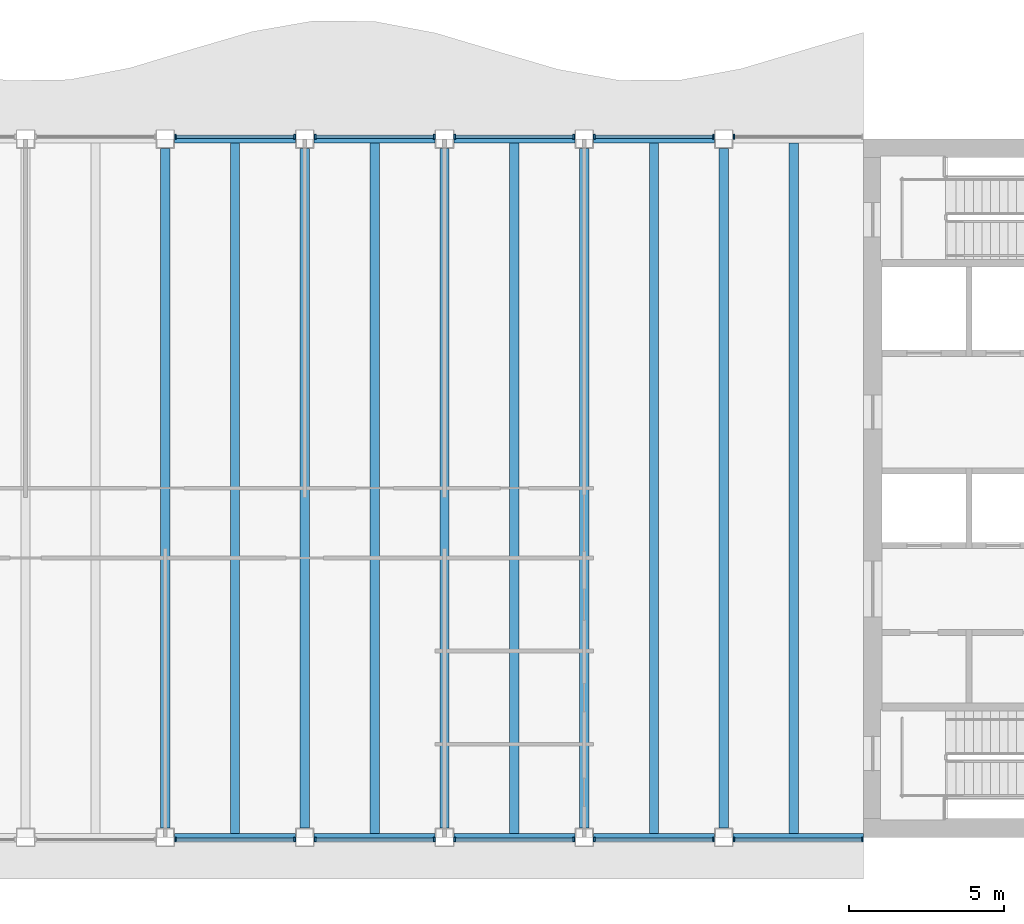
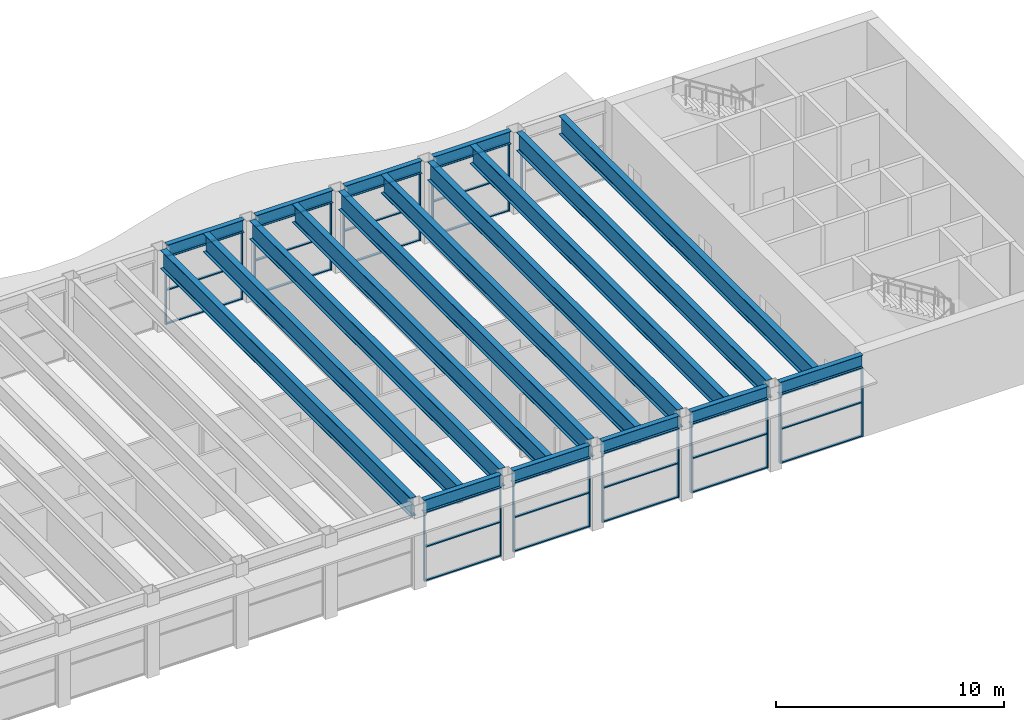
# One storey, part 5 of 14: 46 members, 19 beams, 10 elements without a shape of their own.
"""IFC4 building model written with IfcOpenShell, lengths in metres."""

from ifc_helpers import new_model, si_unit, direction, frame, origin, origin_2d, place, context, subcontext, project, spatial, rectangle, i_section, extrude, material, material_profile, profile_set, type_object, element, aggregate, save


model = new_model("IFC4")

# Units and contexts
model_context = context("Model", 3, precision=1e-05, world=origin(), true_north=direction((0.0, 1.0)))
body_context = subcontext(model_context, "Body", "Model", "MODEL_VIEW")
ifc_project = project(units=[si_unit("LENGTHUNIT", "METRE"), si_unit("AREAUNIT", "SQUARE_METRE"), si_unit("VOLUMEUNIT", "CUBIC_METRE"), si_unit("PLANEANGLEUNIT", "RADIAN"), si_unit("MASSUNIT", "GRAM", prefix="KILO")], contexts=[model_context])

# Site, building, storey
site_placement = place(None, origin())
site = spatial("IfcSite", under=ifc_project, at=site_placement, CompositionType="ELEMENT")
building_placement = place(site_placement, origin())
building = spatial("IfcBuilding", under=site, at=building_placement, Name="Sennacour Bend Tower", CompositionType="ELEMENT")
storey_placement = place(building_placement, frame((0.0, 0.0, 314.0)))
storey = spatial("IfcBuildingStorey", under=building, at=storey_placement, Name="L72", CompositionType="ELEMENT", Elevation=314.0)

# Curtain wall, members
ifc_material_1 = material(Name="Bronze anodised aluminium curtain wall with clear glass", Category="aluminium")
curtain_wall_type = type_object("IfcCurtainWallType", Name="CURTAIN WALL EXEC", PredefinedType="NOTDEFINED", material=ifc_material_1)
curtain_wall_1_placement = place(storey_placement, origin())
curtain_wall_1 = element("IfcCurtainWall", 1, at=curtain_wall_1_placement, inside=storey, type_object=curtain_wall_type, Name="Executive floor glass wall L72", PredefinedType="NOTDEFINED")
ifc_material_2 = material(Name="Aluminium 6063-T6", Category="aluminium")
ifc_material_profile_1 = material_profile(ifc_material_2, rectangle(XDim=0.14990234375, YDim=0.06005859375, at=origin_2d()), Name="Aluminium 6063-T6", Category="aluminium")
ifc_profile_set_1 = profile_set([ifc_material_profile_1], Name="Aluminium 6063-T6")
member_type_1 = type_object("IfcMemberType", Name="CW-MULLION-150X60", PredefinedType="MULLION", material=ifc_profile_set_1)
member_1_placement = place(storey_placement, frame((31.830078125, -0.074951171875, 0.0), z_axis=(0.0, 0.0, 1.0), x_axis=(0.0, 1.0, 0.0)))
member_1 = element("IfcMember", 2, at=member_1_placement, type_object=member_type_1, Name="GW3 curtain wall mullion 1", PredefinedType="MULLION", context=body_context, shape_type="SweptSolid", body=[
    extrude(rectangle(XDim=0.14990234375, YDim=0.06005859375, at=origin_2d()), origin(), (0.0, 0.0, 1.0), 3.672119140625),
])
member_2_placement = place(storey_placement, frame((35.669921875, -0.074951171875, 0.0), z_axis=(0.0, 0.0, 1.0), x_axis=(0.0, 1.0, 0.0)))
member_2 = element("IfcMember", 3, at=member_2_placement, type_object=member_type_1, Name="GW3 curtain wall mullion 2", PredefinedType="MULLION", context=body_context, shape_type="SweptSolid", body=[
    extrude(rectangle(XDim=0.14990234375, YDim=0.06005859375, at=origin_2d()), origin(), (0.0, 0.0, 1.0), 3.672119140625),
])

curtain_wall_2_placement = place(storey_placement, origin())
curtain_wall_2 = element("IfcCurtainWall", 4, at=curtain_wall_2_placement, inside=storey, type_object=curtain_wall_type, Name="Executive floor glass wall L72", PredefinedType="NOTDEFINED")
member_3_placement = place(storey_placement, frame((36.330078125, -0.074951171875, 0.0), z_axis=(0.0, 0.0, 1.0), x_axis=(0.0, 1.0, 0.0)))
member_3 = element("IfcMember", 5, at=member_3_placement, type_object=member_type_1, Name="GW3 curtain wall mullion 1", PredefinedType="MULLION", context=body_context, shape_type="SweptSolid", body=[
    extrude(rectangle(XDim=0.14990234375, YDim=0.06005859375, at=origin_2d()), origin(), (0.0, 0.0, 1.0), 3.672119140625),
])
member_4_placement = place(storey_placement, frame((40.169921875, -0.074951171875, 0.0), z_axis=(0.0, 0.0, 1.0), x_axis=(0.0, 1.0, 0.0)))
member_4 = element("IfcMember", 6, at=member_4_placement, type_object=member_type_1, Name="GW3 curtain wall mullion 2", PredefinedType="MULLION", context=body_context, shape_type="SweptSolid", body=[
    extrude(rectangle(XDim=0.14990234375, YDim=0.06005859375, at=origin_2d()), origin(), (0.0, 0.0, 1.0), 3.672119140625),
])

curtain_wall_3_placement = place(storey_placement, origin())
curtain_wall_3 = element("IfcCurtainWall", 7, at=curtain_wall_3_placement, inside=storey, type_object=curtain_wall_type, Name="Executive floor glass wall L72", PredefinedType="NOTDEFINED")
member_5_placement = place(storey_placement, frame((40.830078125, -0.074951171875, 0.0), z_axis=(0.0, 0.0, 1.0), x_axis=(0.0, 1.0, 0.0)))
member_5 = element("IfcMember", 8, at=member_5_placement, type_object=member_type_1, Name="GW3 curtain wall mullion 1", PredefinedType="MULLION", context=body_context, shape_type="SweptSolid", body=[
    extrude(rectangle(XDim=0.14990234375, YDim=0.06005859375, at=origin_2d()), origin(), (0.0, 0.0, 1.0), 3.672119140625),
])
member_6_placement = place(storey_placement, frame((44.669921875, -0.074951171875, 0.0), z_axis=(0.0, 0.0, 1.0), x_axis=(0.0, 1.0, 0.0)))
member_6 = element("IfcMember", 9, at=member_6_placement, type_object=member_type_1, Name="GW3 curtain wall mullion 2", PredefinedType="MULLION", context=body_context, shape_type="SweptSolid", body=[
    extrude(rectangle(XDim=0.14990234375, YDim=0.06005859375, at=origin_2d()), origin(), (0.0, 0.0, 1.0), 3.672119140625),
])

curtain_wall_4_placement = place(storey_placement, origin())
curtain_wall_4 = element("IfcCurtainWall", 10, at=curtain_wall_4_placement, inside=storey, type_object=curtain_wall_type, Name="Executive floor glass wall L72", PredefinedType="NOTDEFINED")
member_7_placement = place(storey_placement, frame((45.330078125, -0.074951171875, 0.0), z_axis=(0.0, 0.0, 1.0), x_axis=(0.0, 1.0, 0.0)))
member_7 = element("IfcMember", 11, at=member_7_placement, type_object=member_type_1, Name="GW3 curtain wall mullion 1", PredefinedType="MULLION", context=body_context, shape_type="SweptSolid", body=[
    extrude(rectangle(XDim=0.14990234375, YDim=0.06005859375, at=origin_2d()), origin(), (0.0, 0.0, 1.0), 3.672119140625),
])
member_8_placement = place(storey_placement, frame((49.169921875, -0.074951171875, 0.0), z_axis=(0.0, 0.0, 1.0), x_axis=(0.0, 1.0, 0.0)))
member_8 = element("IfcMember", 12, at=member_8_placement, type_object=member_type_1, Name="GW3 curtain wall mullion 2", PredefinedType="MULLION", context=body_context, shape_type="SweptSolid", body=[
    extrude(rectangle(XDim=0.14990234375, YDim=0.06005859375, at=origin_2d()), origin(), (0.0, 0.0, 1.0), 3.672119140625),
])

curtain_wall_5_placement = place(storey_placement, origin())
curtain_wall_5 = element("IfcCurtainWall", 13, at=curtain_wall_5_placement, inside=storey, type_object=curtain_wall_type, Name="Executive floor glass wall L72", PredefinedType="NOTDEFINED")
member_9_placement = place(storey_placement, frame((49.830078125, -0.074951171875, 0.0), z_axis=(0.0, 0.0, 1.0), x_axis=(0.0, 1.0, 0.0)))
member_9 = element("IfcMember", 14, at=member_9_placement, type_object=member_type_1, Name="GW3 curtain wall mullion 1", PredefinedType="MULLION", context=body_context, shape_type="SweptSolid", body=[
    extrude(rectangle(XDim=0.14990234375, YDim=0.06005859375, at=origin_2d()), origin(), (0.0, 0.0, 1.0), 3.672119140625),
])
member_10_placement = place(storey_placement, frame((53.969970703125, -0.074951171875, 0.0), z_axis=(0.0, 0.0, 1.0), x_axis=(0.0, 1.0, 0.0)))
member_10 = element("IfcMember", 15, at=member_10_placement, type_object=member_type_1, Name="GW3 curtain wall mullion 2", PredefinedType="MULLION", context=body_context, shape_type="SweptSolid", body=[
    extrude(rectangle(XDim=0.14990234375, YDim=0.06005859375, at=origin_2d()), origin(), (0.0, 0.0, 1.0), 3.672119140625),
])

# Curtain wall, member
curtain_wall_6_placement = place(storey_placement, origin())
curtain_wall_6 = element("IfcCurtainWall", 16, at=curtain_wall_6_placement, inside=storey, type_object=curtain_wall_type, Name="Executive floor glass wall L72", PredefinedType="NOTDEFINED")
member_11_placement = place(storey_placement, frame((49.830078125, 22.574951171875, 0.0), z_axis=(0.0, 0.0, 1.0), x_axis=(0.0, -1.0, 0.0)))
member_11 = element("IfcMember", 17, at=member_11_placement, type_object=member_type_1, Name="GW3 curtain wall mullion 2", PredefinedType="MULLION", context=body_context, shape_type="SweptSolid", body=[
    extrude(rectangle(XDim=0.14990234375, YDim=0.06005859375, at=origin_2d()), origin(), (0.0, 0.0, 1.0), 3.672119140625),
])
aggregate(curtain_wall_6, [member_11])

# Curtain wall, members
curtain_wall_7_placement = place(storey_placement, origin())
curtain_wall_7 = element("IfcCurtainWall", 18, at=curtain_wall_7_placement, inside=storey, type_object=curtain_wall_type, Name="Executive floor glass wall L72", PredefinedType="NOTDEFINED")
member_12_placement = place(storey_placement, frame((49.169921875, 22.574951171875, 0.0), z_axis=(0.0, 0.0, 1.0), x_axis=(0.0, -1.0, 0.0)))
member_12 = element("IfcMember", 19, at=member_12_placement, type_object=member_type_1, Name="GW3 curtain wall mullion 1", PredefinedType="MULLION", context=body_context, shape_type="SweptSolid", body=[
    extrude(rectangle(XDim=0.14990234375, YDim=0.06005859375, at=origin_2d()), origin(), (0.0, 0.0, 1.0), 3.672119140625),
])
member_13_placement = place(storey_placement, frame((45.330078125, 22.574951171875, 0.0), z_axis=(0.0, 0.0, 1.0), x_axis=(0.0, -1.0, 0.0)))
member_13 = element("IfcMember", 20, at=member_13_placement, type_object=member_type_1, Name="GW3 curtain wall mullion 2", PredefinedType="MULLION", context=body_context, shape_type="SweptSolid", body=[
    extrude(rectangle(XDim=0.14990234375, YDim=0.06005859375, at=origin_2d()), origin(), (0.0, 0.0, 1.0), 3.672119140625),
])

curtain_wall_8_placement = place(storey_placement, origin())
curtain_wall_8 = element("IfcCurtainWall", 21, at=curtain_wall_8_placement, inside=storey, type_object=curtain_wall_type, Name="Executive floor glass wall L72", PredefinedType="NOTDEFINED")
member_14_placement = place(storey_placement, frame((44.669921875, 22.574951171875, 0.0), z_axis=(0.0, 0.0, 1.0), x_axis=(0.0, -1.0, 0.0)))
member_14 = element("IfcMember", 22, at=member_14_placement, type_object=member_type_1, Name="GW3 curtain wall mullion 1", PredefinedType="MULLION", context=body_context, shape_type="SweptSolid", body=[
    extrude(rectangle(XDim=0.14990234375, YDim=0.06005859375, at=origin_2d()), origin(), (0.0, 0.0, 1.0), 3.672119140625),
])
member_15_placement = place(storey_placement, frame((40.830078125, 22.574951171875, 0.0), z_axis=(0.0, 0.0, 1.0), x_axis=(0.0, -1.0, 0.0)))
member_15 = element("IfcMember", 23, at=member_15_placement, type_object=member_type_1, Name="GW3 curtain wall mullion 2", PredefinedType="MULLION", context=body_context, shape_type="SweptSolid", body=[
    extrude(rectangle(XDim=0.14990234375, YDim=0.06005859375, at=origin_2d()), origin(), (0.0, 0.0, 1.0), 3.672119140625),
])

curtain_wall_9_placement = place(storey_placement, origin())
curtain_wall_9 = element("IfcCurtainWall", 24, at=curtain_wall_9_placement, inside=storey, type_object=curtain_wall_type, Name="Executive floor glass wall L72", PredefinedType="NOTDEFINED")
member_16_placement = place(storey_placement, frame((40.169921875, 22.574951171875, 0.0), z_axis=(0.0, 0.0, 1.0), x_axis=(0.0, -1.0, 0.0)))
member_16 = element("IfcMember", 25, at=member_16_placement, type_object=member_type_1, Name="GW3 curtain wall mullion 1", PredefinedType="MULLION", context=body_context, shape_type="SweptSolid", body=[
    extrude(rectangle(XDim=0.14990234375, YDim=0.06005859375, at=origin_2d()), origin(), (0.0, 0.0, 1.0), 3.672119140625),
])
member_17_placement = place(storey_placement, frame((36.330078125, 22.574951171875, 0.0), z_axis=(0.0, 0.0, 1.0), x_axis=(0.0, -1.0, 0.0)))
member_17 = element("IfcMember", 26, at=member_17_placement, type_object=member_type_1, Name="GW3 curtain wall mullion 2", PredefinedType="MULLION", context=body_context, shape_type="SweptSolid", body=[
    extrude(rectangle(XDim=0.14990234375, YDim=0.06005859375, at=origin_2d()), origin(), (0.0, 0.0, 1.0), 3.672119140625),
])

curtain_wall_10_placement = place(storey_placement, origin())
curtain_wall_10 = element("IfcCurtainWall", 27, at=curtain_wall_10_placement, inside=storey, type_object=curtain_wall_type, Name="Executive floor glass wall L72", PredefinedType="NOTDEFINED")
member_18_placement = place(storey_placement, frame((35.669921875, 22.574951171875, 0.0), z_axis=(0.0, 0.0, 1.0), x_axis=(0.0, -1.0, 0.0)))
member_18 = element("IfcMember", 28, at=member_18_placement, type_object=member_type_1, Name="GW3 curtain wall mullion 1", PredefinedType="MULLION", context=body_context, shape_type="SweptSolid", body=[
    extrude(rectangle(XDim=0.14990234375, YDim=0.06005859375, at=origin_2d()), origin(), (0.0, 0.0, 1.0), 3.672119140625),
])
member_19_placement = place(storey_placement, frame((31.830078125, 22.574951171875, 0.0), z_axis=(0.0, 0.0, 1.0), x_axis=(0.0, -1.0, 0.0)))
member_19 = element("IfcMember", 29, at=member_19_placement, type_object=member_type_1, Name="GW3 curtain wall mullion 2", PredefinedType="MULLION", context=body_context, shape_type="SweptSolid", body=[
    extrude(rectangle(XDim=0.14990234375, YDim=0.06005859375, at=origin_2d()), origin(), (0.0, 0.0, 1.0), 3.672119140625),
])

# Member
ifc_material_profile_2 = material_profile(ifc_material_2, rectangle(XDim=0.1201171875, YDim=0.06005859375, at=origin_2d()), Name="Aluminium 6063-T6", Category="aluminium")
ifc_profile_set_2 = profile_set([ifc_material_profile_2], Name="Aluminium 6063-T6")
member_type_2 = type_object("IfcMemberType", Name="CW-TRANSOM-120X60", PredefinedType="USERDEFINED", material=ifc_profile_set_2)
member_20_placement = place(storey_placement, frame((31.860107421875, -0.074951171875, 0.030029296875), z_axis=(1.0, 0.0, 0.0), x_axis=(0.0, 1.0, 0.0)))
member_20 = element("IfcMember", 30, at=member_20_placement, type_object=member_type_2, Name="GW3 curtain wall transom 1.1", ObjectType="TRANSOM", PredefinedType="USERDEFINED", context=body_context, shape_type="SweptSolid", body=[
    extrude(rectangle(XDim=0.1201171875, YDim=0.06005859375, at=origin_2d()), origin(), (0.0, 0.0, 1.0), 3.77978515625),
])

member_21_placement = place(storey_placement, frame((31.860107421875, -0.074951171875, 1.8359375), z_axis=(1.0, 0.0, 0.0), x_axis=(0.0, 1.0, 0.0)))
member_21 = element("IfcMember", 31, at=member_21_placement, type_object=member_type_2, Name="GW3 curtain wall transom 1.2", ObjectType="TRANSOM", PredefinedType="USERDEFINED", context=body_context, shape_type="SweptSolid", body=[
    extrude(rectangle(XDim=0.1201171875, YDim=0.06005859375, at=origin_2d()), origin(), (0.0, 0.0, 1.0), 3.77978515625),
])

member_22_placement = place(storey_placement, frame((31.860107421875, -0.074951171875, 3.64208984375), z_axis=(1.0, 0.0, 0.0), x_axis=(0.0, 1.0, 0.0)))
member_22 = element("IfcMember", 32, at=member_22_placement, type_object=member_type_2, Name="GW3 curtain wall transom 1.3", ObjectType="TRANSOM", PredefinedType="USERDEFINED", context=body_context, shape_type="SweptSolid", body=[
    extrude(rectangle(XDim=0.1201171875, YDim=0.06005859375, at=origin_2d()), origin(), (0.0, 0.0, 1.0), 3.77978515625),
])

aggregate(curtain_wall_1, [member_1, member_2, member_20, member_21, member_22])

member_23_placement = place(storey_placement, frame((36.360107421875, -0.074951171875, 0.030029296875), z_axis=(1.0, 0.0, 0.0), x_axis=(0.0, 1.0, 0.0)))
member_23 = element("IfcMember", 33, at=member_23_placement, type_object=member_type_2, Name="GW3 curtain wall transom 1.1", ObjectType="TRANSOM", PredefinedType="USERDEFINED", context=body_context, shape_type="SweptSolid", body=[
    extrude(rectangle(XDim=0.1201171875, YDim=0.06005859375, at=origin_2d()), origin(), (0.0, 0.0, 1.0), 3.77978515625),
])

member_24_placement = place(storey_placement, frame((36.360107421875, -0.074951171875, 1.8359375), z_axis=(1.0, 0.0, 0.0), x_axis=(0.0, 1.0, 0.0)))
member_24 = element("IfcMember", 34, at=member_24_placement, type_object=member_type_2, Name="GW3 curtain wall transom 1.2", ObjectType="TRANSOM", PredefinedType="USERDEFINED", context=body_context, shape_type="SweptSolid", body=[
    extrude(rectangle(XDim=0.1201171875, YDim=0.06005859375, at=origin_2d()), origin(), (0.0, 0.0, 1.0), 3.77978515625),
])

member_25_placement = place(storey_placement, frame((36.360107421875, -0.074951171875, 3.64208984375), z_axis=(1.0, 0.0, 0.0), x_axis=(0.0, 1.0, 0.0)))
member_25 = element("IfcMember", 35, at=member_25_placement, type_object=member_type_2, Name="GW3 curtain wall transom 1.3", ObjectType="TRANSOM", PredefinedType="USERDEFINED", context=body_context, shape_type="SweptSolid", body=[
    extrude(rectangle(XDim=0.1201171875, YDim=0.06005859375, at=origin_2d()), origin(), (0.0, 0.0, 1.0), 3.77978515625),
])

aggregate(curtain_wall_2, [member_3, member_4, member_23, member_24, member_25])

member_26_placement = place(storey_placement, frame((40.860107421875, -0.074951171875, 0.030029296875), z_axis=(1.0, 0.0, 0.0), x_axis=(0.0, 1.0, 0.0)))
member_26 = element("IfcMember", 36, at=member_26_placement, type_object=member_type_2, Name="GW3 curtain wall transom 1.1", ObjectType="TRANSOM", PredefinedType="USERDEFINED", context=body_context, shape_type="SweptSolid", body=[
    extrude(rectangle(XDim=0.1201171875, YDim=0.06005859375, at=origin_2d()), origin(), (0.0, 0.0, 1.0), 3.77978515625),
])

member_27_placement = place(storey_placement, frame((40.860107421875, -0.074951171875, 1.8359375), z_axis=(1.0, 0.0, 0.0), x_axis=(0.0, 1.0, 0.0)))
member_27 = element("IfcMember", 37, at=member_27_placement, type_object=member_type_2, Name="GW3 curtain wall transom 1.2", ObjectType="TRANSOM", PredefinedType="USERDEFINED", context=body_context, shape_type="SweptSolid", body=[
    extrude(rectangle(XDim=0.1201171875, YDim=0.06005859375, at=origin_2d()), origin(), (0.0, 0.0, 1.0), 3.77978515625),
])

member_28_placement = place(storey_placement, frame((40.860107421875, -0.074951171875, 3.64208984375), z_axis=(1.0, 0.0, 0.0), x_axis=(0.0, 1.0, 0.0)))
member_28 = element("IfcMember", 38, at=member_28_placement, type_object=member_type_2, Name="GW3 curtain wall transom 1.3", ObjectType="TRANSOM", PredefinedType="USERDEFINED", context=body_context, shape_type="SweptSolid", body=[
    extrude(rectangle(XDim=0.1201171875, YDim=0.06005859375, at=origin_2d()), origin(), (0.0, 0.0, 1.0), 3.77978515625),
])

aggregate(curtain_wall_3, [member_5, member_6, member_26, member_27, member_28])

member_29_placement = place(storey_placement, frame((45.360107421875, -0.074951171875, 0.030029296875), z_axis=(1.0, 0.0, 0.0), x_axis=(0.0, 1.0, 0.0)))
member_29 = element("IfcMember", 39, at=member_29_placement, type_object=member_type_2, Name="GW3 curtain wall transom 1.1", ObjectType="TRANSOM", PredefinedType="USERDEFINED", context=body_context, shape_type="SweptSolid", body=[
    extrude(rectangle(XDim=0.1201171875, YDim=0.06005859375, at=origin_2d()), origin(), (0.0, 0.0, 1.0), 3.77978515625),
])

member_30_placement = place(storey_placement, frame((45.360107421875, -0.074951171875, 1.8359375), z_axis=(1.0, 0.0, 0.0), x_axis=(0.0, 1.0, 0.0)))
member_30 = element("IfcMember", 40, at=member_30_placement, type_object=member_type_2, Name="GW3 curtain wall transom 1.2", ObjectType="TRANSOM", PredefinedType="USERDEFINED", context=body_context, shape_type="SweptSolid", body=[
    extrude(rectangle(XDim=0.1201171875, YDim=0.06005859375, at=origin_2d()), origin(), (0.0, 0.0, 1.0), 3.77978515625),
])

member_31_placement = place(storey_placement, frame((45.360107421875, -0.074951171875, 3.64208984375), z_axis=(1.0, 0.0, 0.0), x_axis=(0.0, 1.0, 0.0)))
member_31 = element("IfcMember", 41, at=member_31_placement, type_object=member_type_2, Name="GW3 curtain wall transom 1.3", ObjectType="TRANSOM", PredefinedType="USERDEFINED", context=body_context, shape_type="SweptSolid", body=[
    extrude(rectangle(XDim=0.1201171875, YDim=0.06005859375, at=origin_2d()), origin(), (0.0, 0.0, 1.0), 3.77978515625),
])

aggregate(curtain_wall_4, [member_7, member_8, member_29, member_30, member_31])

member_32_placement = place(storey_placement, frame((49.860107421875, -0.074951171875, 0.030029296875), z_axis=(1.0, 0.0, 0.0), x_axis=(0.0, 1.0, 0.0)))
member_32 = element("IfcMember", 42, at=member_32_placement, type_object=member_type_2, Name="GW3 curtain wall transom 1.1", ObjectType="TRANSOM", PredefinedType="USERDEFINED", context=body_context, shape_type="SweptSolid", body=[
    extrude(rectangle(XDim=0.1201171875, YDim=0.06005859375, at=origin_2d()), origin(), (0.0, 0.0, 1.0), 4.079833984375),
])

member_33_placement = place(storey_placement, frame((49.860107421875, -0.074951171875, 1.8359375), z_axis=(1.0, 0.0, 0.0), x_axis=(0.0, 1.0, 0.0)))
member_33 = element("IfcMember", 43, at=member_33_placement, type_object=member_type_2, Name="GW3 curtain wall transom 1.2", ObjectType="TRANSOM", PredefinedType="USERDEFINED", context=body_context, shape_type="SweptSolid", body=[
    extrude(rectangle(XDim=0.1201171875, YDim=0.06005859375, at=origin_2d()), origin(), (0.0, 0.0, 1.0), 4.079833984375),
])

member_34_placement = place(storey_placement, frame((49.860107421875, -0.074951171875, 3.64208984375), z_axis=(1.0, 0.0, 0.0), x_axis=(0.0, 1.0, 0.0)))
member_34 = element("IfcMember", 44, at=member_34_placement, type_object=member_type_2, Name="GW3 curtain wall transom 1.3", ObjectType="TRANSOM", PredefinedType="USERDEFINED", context=body_context, shape_type="SweptSolid", body=[
    extrude(rectangle(XDim=0.1201171875, YDim=0.06005859375, at=origin_2d()), origin(), (0.0, 0.0, 1.0), 4.079833984375),
])

aggregate(curtain_wall_5, [member_9, member_10, member_32, member_33, member_34])

member_35_placement = place(storey_placement, frame((49.139892578125, 22.574951171875, 0.030029296875), z_axis=(-1.0, 0.0, 0.0), x_axis=(0.0, -1.0, 0.0)))
member_35 = element("IfcMember", 45, at=member_35_placement, type_object=member_type_2, Name="GW3 curtain wall transom 1.1", ObjectType="TRANSOM", PredefinedType="USERDEFINED", context=body_context, shape_type="SweptSolid", body=[
    extrude(rectangle(XDim=0.1201171875, YDim=0.06005859375, at=origin_2d()), origin(), (0.0, 0.0, 1.0), 3.77978515625),
])

member_36_placement = place(storey_placement, frame((49.139892578125, 22.574951171875, 1.8359375), z_axis=(-1.0, 0.0, 0.0), x_axis=(0.0, -1.0, 0.0)))
member_36 = element("IfcMember", 46, at=member_36_placement, type_object=member_type_2, Name="GW3 curtain wall transom 1.2", ObjectType="TRANSOM", PredefinedType="USERDEFINED", context=body_context, shape_type="SweptSolid", body=[
    extrude(rectangle(XDim=0.1201171875, YDim=0.06005859375, at=origin_2d()), origin(), (0.0, 0.0, 1.0), 3.77978515625),
])

member_37_placement = place(storey_placement, frame((49.139892578125, 22.574951171875, 3.64208984375), z_axis=(-1.0, 0.0, 0.0), x_axis=(0.0, -1.0, 0.0)))
member_37 = element("IfcMember", 47, at=member_37_placement, type_object=member_type_2, Name="GW3 curtain wall transom 1.3", ObjectType="TRANSOM", PredefinedType="USERDEFINED", context=body_context, shape_type="SweptSolid", body=[
    extrude(rectangle(XDim=0.1201171875, YDim=0.06005859375, at=origin_2d()), origin(), (0.0, 0.0, 1.0), 3.77978515625),
])

aggregate(curtain_wall_7, [member_12, member_13, member_35, member_36, member_37])

member_38_placement = place(storey_placement, frame((44.639892578125, 22.574951171875, 0.030029296875), z_axis=(-1.0, 0.0, 0.0), x_axis=(0.0, -1.0, 0.0)))
member_38 = element("IfcMember", 48, at=member_38_placement, type_object=member_type_2, Name="GW3 curtain wall transom 1.1", ObjectType="TRANSOM", PredefinedType="USERDEFINED", context=body_context, shape_type="SweptSolid", body=[
    extrude(rectangle(XDim=0.1201171875, YDim=0.06005859375, at=origin_2d()), origin(), (0.0, 0.0, 1.0), 3.77978515625),
])

member_39_placement = place(storey_placement, frame((44.639892578125, 22.574951171875, 1.8359375), z_axis=(-1.0, 0.0, 0.0), x_axis=(0.0, -1.0, 0.0)))
member_39 = element("IfcMember", 49, at=member_39_placement, type_object=member_type_2, Name="GW3 curtain wall transom 1.2", ObjectType="TRANSOM", PredefinedType="USERDEFINED", context=body_context, shape_type="SweptSolid", body=[
    extrude(rectangle(XDim=0.1201171875, YDim=0.06005859375, at=origin_2d()), origin(), (0.0, 0.0, 1.0), 3.77978515625),
])

member_40_placement = place(storey_placement, frame((44.639892578125, 22.574951171875, 3.64208984375), z_axis=(-1.0, 0.0, 0.0), x_axis=(0.0, -1.0, 0.0)))
member_40 = element("IfcMember", 50, at=member_40_placement, type_object=member_type_2, Name="GW3 curtain wall transom 1.3", ObjectType="TRANSOM", PredefinedType="USERDEFINED", context=body_context, shape_type="SweptSolid", body=[
    extrude(rectangle(XDim=0.1201171875, YDim=0.06005859375, at=origin_2d()), origin(), (0.0, 0.0, 1.0), 3.77978515625),
])

aggregate(curtain_wall_8, [member_14, member_15, member_38, member_39, member_40])

member_41_placement = place(storey_placement, frame((40.139892578125, 22.574951171875, 0.030029296875), z_axis=(-1.0, 0.0, 0.0), x_axis=(0.0, -1.0, 0.0)))
member_41 = element("IfcMember", 51, at=member_41_placement, type_object=member_type_2, Name="GW3 curtain wall transom 1.1", ObjectType="TRANSOM", PredefinedType="USERDEFINED", context=body_context, shape_type="SweptSolid", body=[
    extrude(rectangle(XDim=0.1201171875, YDim=0.06005859375, at=origin_2d()), origin(), (0.0, 0.0, 1.0), 3.77978515625),
])

member_42_placement = place(storey_placement, frame((40.139892578125, 22.574951171875, 1.8359375), z_axis=(-1.0, 0.0, 0.0), x_axis=(0.0, -1.0, 0.0)))
member_42 = element("IfcMember", 52, at=member_42_placement, type_object=member_type_2, Name="GW3 curtain wall transom 1.2", ObjectType="TRANSOM", PredefinedType="USERDEFINED", context=body_context, shape_type="SweptSolid", body=[
    extrude(rectangle(XDim=0.1201171875, YDim=0.06005859375, at=origin_2d()), origin(), (0.0, 0.0, 1.0), 3.77978515625),
])

member_43_placement = place(storey_placement, frame((40.139892578125, 22.574951171875, 3.64208984375), z_axis=(-1.0, 0.0, 0.0), x_axis=(0.0, -1.0, 0.0)))
member_43 = element("IfcMember", 53, at=member_43_placement, type_object=member_type_2, Name="GW3 curtain wall transom 1.3", ObjectType="TRANSOM", PredefinedType="USERDEFINED", context=body_context, shape_type="SweptSolid", body=[
    extrude(rectangle(XDim=0.1201171875, YDim=0.06005859375, at=origin_2d()), origin(), (0.0, 0.0, 1.0), 3.77978515625),
])

aggregate(curtain_wall_9, [member_16, member_17, member_41, member_42, member_43])

member_44_placement = place(storey_placement, frame((35.639892578125, 22.574951171875, 0.030029296875), z_axis=(-1.0, 0.0, 0.0), x_axis=(0.0, -1.0, 0.0)))
member_44 = element("IfcMember", 54, at=member_44_placement, type_object=member_type_2, Name="GW3 curtain wall transom 1.1", ObjectType="TRANSOM", PredefinedType="USERDEFINED", context=body_context, shape_type="SweptSolid", body=[
    extrude(rectangle(XDim=0.1201171875, YDim=0.06005859375, at=origin_2d()), origin(), (0.0, 0.0, 1.0), 3.77978515625),
])

member_45_placement = place(storey_placement, frame((35.639892578125, 22.574951171875, 1.8359375), z_axis=(-1.0, 0.0, 0.0), x_axis=(0.0, -1.0, 0.0)))
member_45 = element("IfcMember", 55, at=member_45_placement, type_object=member_type_2, Name="GW3 curtain wall transom 1.2", ObjectType="TRANSOM", PredefinedType="USERDEFINED", context=body_context, shape_type="SweptSolid", body=[
    extrude(rectangle(XDim=0.1201171875, YDim=0.06005859375, at=origin_2d()), origin(), (0.0, 0.0, 1.0), 3.77978515625),
])

member_46_placement = place(storey_placement, frame((35.639892578125, 22.574951171875, 3.64208984375), z_axis=(-1.0, 0.0, 0.0), x_axis=(0.0, -1.0, 0.0)))
member_46 = element("IfcMember", 56, at=member_46_placement, type_object=member_type_2, Name="GW3 curtain wall transom 1.3", ObjectType="TRANSOM", PredefinedType="USERDEFINED", context=body_context, shape_type="SweptSolid", body=[
    extrude(rectangle(XDim=0.1201171875, YDim=0.06005859375, at=origin_2d()), origin(), (0.0, 0.0, 1.0), 3.77978515625),
])

aggregate(curtain_wall_10, [member_18, member_19, member_44, member_45, member_46])

# Beams
ifc_material_3 = material(Name="Steel ASTM A992 Grade 50", Category="steel")
ifc_material_profile_3 = material_profile(ifc_material_3, i_section(OverallWidth=0.300048828125, OverallDepth=0.990966796875, WebThickness=0.0166015625, FlangeThickness=0.030517578125, FilletRadius=0.030029296875, at=origin_2d()), Name="Steel ASTM A992 Grade 50", Category="steel")
ifc_profile_set_3 = profile_set([ifc_material_profile_3], Name="Steel ASTM A992 Grade 50")
beam_type_1 = type_object("IfcBeamType", Name="Floor beam W1000X272", PredefinedType="BEAM", material=ifc_profile_set_3)
beam_1_placement = place(storey_placement, frame((31.5, 0.300048828125, 3.8544921875), z_axis=(0.0, 1.0, 0.0), x_axis=(-1.0, 0.0, 0.0)))
element("IfcBeam", 57, at=beam_1_placement, inside=storey, type_object=beam_type_1, Name="Floor beam FBM3 L73-014", PredefinedType="BEAM", context=body_context, shape_type="SweptSolid", body=[
    extrude(i_section(OverallWidth=0.300048828125, OverallDepth=0.990966796875, WebThickness=0.0166015625, FlangeThickness=0.030517578125, FilletRadius=0.030029296875, at=origin_2d()), origin(), (0.0, 0.0, 1.0), 21.89990234375),
])
beam_2_placement = place(storey_placement, frame((33.75, 0.126953125, 3.8544921875), z_axis=(0.0, 1.0, 0.0), x_axis=(-1.0, 0.0, 0.0)))
element("IfcBeam", 58, at=beam_2_placement, inside=storey, type_object=beam_type_1, Name="Floor beam FBM3 L73-015", PredefinedType="BEAM", context=body_context, shape_type="SweptSolid", body=[
    extrude(i_section(OverallWidth=0.300048828125, OverallDepth=0.990966796875, WebThickness=0.0166015625, FlangeThickness=0.030517578125, FilletRadius=0.030029296875, at=origin_2d()), origin(), (0.0, 0.0, 1.0), 22.24609375),
])
beam_3_placement = place(storey_placement, frame((36.0, 0.300048828125, 3.8544921875), z_axis=(0.0, 1.0, 0.0), x_axis=(-1.0, 0.0, 0.0)))
element("IfcBeam", 59, at=beam_3_placement, inside=storey, type_object=beam_type_1, Name="Floor beam FBM3 L73-016", PredefinedType="BEAM", context=body_context, shape_type="SweptSolid", body=[
    extrude(i_section(OverallWidth=0.300048828125, OverallDepth=0.990966796875, WebThickness=0.0166015625, FlangeThickness=0.030517578125, FilletRadius=0.030029296875, at=origin_2d()), origin(), (0.0, 0.0, 1.0), 21.89990234375),
])
beam_4_placement = place(storey_placement, frame((38.25, 0.126953125, 3.8544921875), z_axis=(0.0, 1.0, 0.0), x_axis=(-1.0, 0.0, 0.0)))
element("IfcBeam", 60, at=beam_4_placement, inside=storey, type_object=beam_type_1, Name="Floor beam FBM3 L73-017", PredefinedType="BEAM", context=body_context, shape_type="SweptSolid", body=[
    extrude(i_section(OverallWidth=0.300048828125, OverallDepth=0.990966796875, WebThickness=0.0166015625, FlangeThickness=0.030517578125, FilletRadius=0.030029296875, at=origin_2d()), origin(), (0.0, 0.0, 1.0), 22.24609375),
])
beam_5_placement = place(storey_placement, frame((40.5, 0.300048828125, 3.8544921875), z_axis=(0.0, 1.0, 0.0), x_axis=(-1.0, 0.0, 0.0)))
element("IfcBeam", 61, at=beam_5_placement, inside=storey, type_object=beam_type_1, Name="Floor beam FBM3 L73-018", PredefinedType="BEAM", context=body_context, shape_type="SweptSolid", body=[
    extrude(i_section(OverallWidth=0.300048828125, OverallDepth=0.990966796875, WebThickness=0.0166015625, FlangeThickness=0.030517578125, FilletRadius=0.030029296875, at=origin_2d()), origin(), (0.0, 0.0, 1.0), 21.89990234375),
])
beam_6_placement = place(storey_placement, frame((42.75, 0.126953125, 3.8544921875), z_axis=(0.0, 1.0, 0.0), x_axis=(-1.0, 0.0, 0.0)))
element("IfcBeam", 62, at=beam_6_placement, inside=storey, type_object=beam_type_1, Name="Floor beam FBM3 L73-019", PredefinedType="BEAM", context=body_context, shape_type="SweptSolid", body=[
    extrude(i_section(OverallWidth=0.300048828125, OverallDepth=0.990966796875, WebThickness=0.0166015625, FlangeThickness=0.030517578125, FilletRadius=0.030029296875, at=origin_2d()), origin(), (0.0, 0.0, 1.0), 22.24609375),
])
beam_7_placement = place(storey_placement, frame((45.0, 0.300048828125, 3.8544921875), z_axis=(0.0, 1.0, 0.0), x_axis=(-1.0, 0.0, 0.0)))
element("IfcBeam", 63, at=beam_7_placement, inside=storey, type_object=beam_type_1, Name="Floor beam FBM3 L73-020", PredefinedType="BEAM", context=body_context, shape_type="SweptSolid", body=[
    extrude(i_section(OverallWidth=0.300048828125, OverallDepth=0.990966796875, WebThickness=0.0166015625, FlangeThickness=0.030517578125, FilletRadius=0.030029296875, at=origin_2d()), origin(), (0.0, 0.0, 1.0), 21.89990234375),
])
beam_8_placement = place(storey_placement, frame((47.25, 0.126953125, 3.8544921875), z_axis=(0.0, 1.0, 0.0), x_axis=(-1.0, 0.0, 0.0)))
element("IfcBeam", 64, at=beam_8_placement, inside=storey, type_object=beam_type_1, Name="Floor beam FBM3 L73-021", PredefinedType="BEAM", context=body_context, shape_type="SweptSolid", body=[
    extrude(i_section(OverallWidth=0.300048828125, OverallDepth=0.990966796875, WebThickness=0.0166015625, FlangeThickness=0.030517578125, FilletRadius=0.030029296875, at=origin_2d()), origin(), (0.0, 0.0, 1.0), 22.24609375),
])
beam_9_placement = place(storey_placement, frame((49.5, 0.300048828125, 3.8544921875), z_axis=(0.0, 1.0, 0.0), x_axis=(-1.0, 0.0, 0.0)))
element("IfcBeam", 65, at=beam_9_placement, inside=storey, type_object=beam_type_1, Name="Floor beam FBM3 L73-022", PredefinedType="BEAM", context=body_context, shape_type="SweptSolid", body=[
    extrude(i_section(OverallWidth=0.300048828125, OverallDepth=0.990966796875, WebThickness=0.0166015625, FlangeThickness=0.030517578125, FilletRadius=0.030029296875, at=origin_2d()), origin(), (0.0, 0.0, 1.0), 21.89990234375),
])
beam_10_placement = place(storey_placement, frame((51.75, 0.126953125, 3.8544921875), z_axis=(0.0, 1.0, 0.0), x_axis=(-1.0, 0.0, 0.0)))
element("IfcBeam", 66, at=beam_10_placement, inside=storey, type_object=beam_type_1, Name="Floor beam FBM3 L73-023", PredefinedType="BEAM", context=body_context, shape_type="SweptSolid", body=[
    extrude(i_section(OverallWidth=0.300048828125, OverallDepth=0.990966796875, WebThickness=0.0166015625, FlangeThickness=0.030517578125, FilletRadius=0.030029296875, at=origin_2d()), origin(), (0.0, 0.0, 1.0), 22.24609375),
])
ifc_material_profile_4 = material_profile(ifc_material_3, i_section(OverallWidth=0.25390625, OverallDepth=0.677978515625, WebThickness=0.01171875, FlangeThickness=0.016357421875, FilletRadius=0.01513671875, at=origin_2d()), Name="Steel ASTM A992 Grade 50", Category="steel")
ifc_profile_set_4 = profile_set([ifc_material_profile_4], Name="Steel ASTM A992 Grade 50")
beam_type_2 = type_object("IfcBeamType", Name="Spandrel beam W690X125", PredefinedType="SPANDREL", material=ifc_profile_set_4)
for number, where, z_axis, x_axis, name in (
    (67, (31.800048828125, 22.5, 4.010986328125), (1.0, 0.0, 0.0), (0.0, 1.0, 0.0), "Spandrel beam SP7 L73-013"),
    (68, (36.300048828125, 22.5, 4.010986328125), (1.0, 0.0, 0.0), (0.0, 1.0, 0.0), "Spandrel beam SP7 L73-014"),
    (69, (40.800048828125, 22.5, 4.010986328125), (1.0, 0.0, 0.0), (0.0, 1.0, 0.0), "Spandrel beam SP7 L73-015"),
    (70, (45.300048828125, 22.5, 4.010986328125), (1.0, 0.0, 0.0), (0.0, 1.0, 0.0), "Spandrel beam SP7 L73-016"),
):
    element("IfcBeam", number, at=place(storey_placement, frame(where, z_axis=z_axis, x_axis=x_axis)), inside=storey, type_object=beam_type_2, Name=name, PredefinedType="SPANDREL", context=body_context, shape_type="SweptSolid", body=[
        extrude(i_section(OverallWidth=0.25390625, OverallDepth=0.677978515625, WebThickness=0.01171875, FlangeThickness=0.016357421875, FilletRadius=0.01513671875, at=origin_2d()), origin(), (0.0, 0.0, 1.0), 3.89990234375),
    ])
beam_11_placement = place(storey_placement, frame((54.0, 0.0, 4.010986328125), z_axis=(-1.0, 0.0, 0.0), x_axis=(0.0, -1.0, 0.0)))
element("IfcBeam", 71, at=beam_11_placement, inside=storey, type_object=beam_type_2, Name="Spandrel beam SP7 L73-018", PredefinedType="SPANDREL", context=body_context, shape_type="SweptSolid", body=[
    extrude(i_section(OverallWidth=0.25390625, OverallDepth=0.677978515625, WebThickness=0.01171875, FlangeThickness=0.016357421875, FilletRadius=0.01513671875, at=origin_2d()), origin(), (0.0, 0.0, 1.0), 4.199951171875),
])
for number, where, z_axis, x_axis, name in (
    (72, (49.199951171875, 0.0, 4.010986328125), (-1.0, 0.0, 0.0), (0.0, -1.0, 0.0), "Spandrel beam SP7 L73-019"),
    (73, (44.699951171875, 0.0, 4.010986328125), (-1.0, 0.0, 0.0), (0.0, -1.0, 0.0), "Spandrel beam SP7 L73-020"),
    (74, (40.199951171875, 0.0, 4.010986328125), (-1.0, 0.0, 0.0), (0.0, -1.0, 0.0), "Spandrel beam SP7 L73-021"),
    (75, (35.699951171875, 0.0, 4.010986328125), (-1.0, 0.0, 0.0), (0.0, -1.0, 0.0), "Spandrel beam SP7 L73-022"),
):
    element("IfcBeam", number, at=place(storey_placement, frame(where, z_axis=z_axis, x_axis=x_axis)), inside=storey, type_object=beam_type_2, Name=name, PredefinedType="SPANDREL", context=body_context, shape_type="SweptSolid", body=[
        extrude(i_section(OverallWidth=0.25390625, OverallDepth=0.677978515625, WebThickness=0.01171875, FlangeThickness=0.016357421875, FilletRadius=0.01513671875, at=origin_2d()), origin(), (0.0, 0.0, 1.0), 3.89990234375),
    ])

save(model, "model.ifc")
